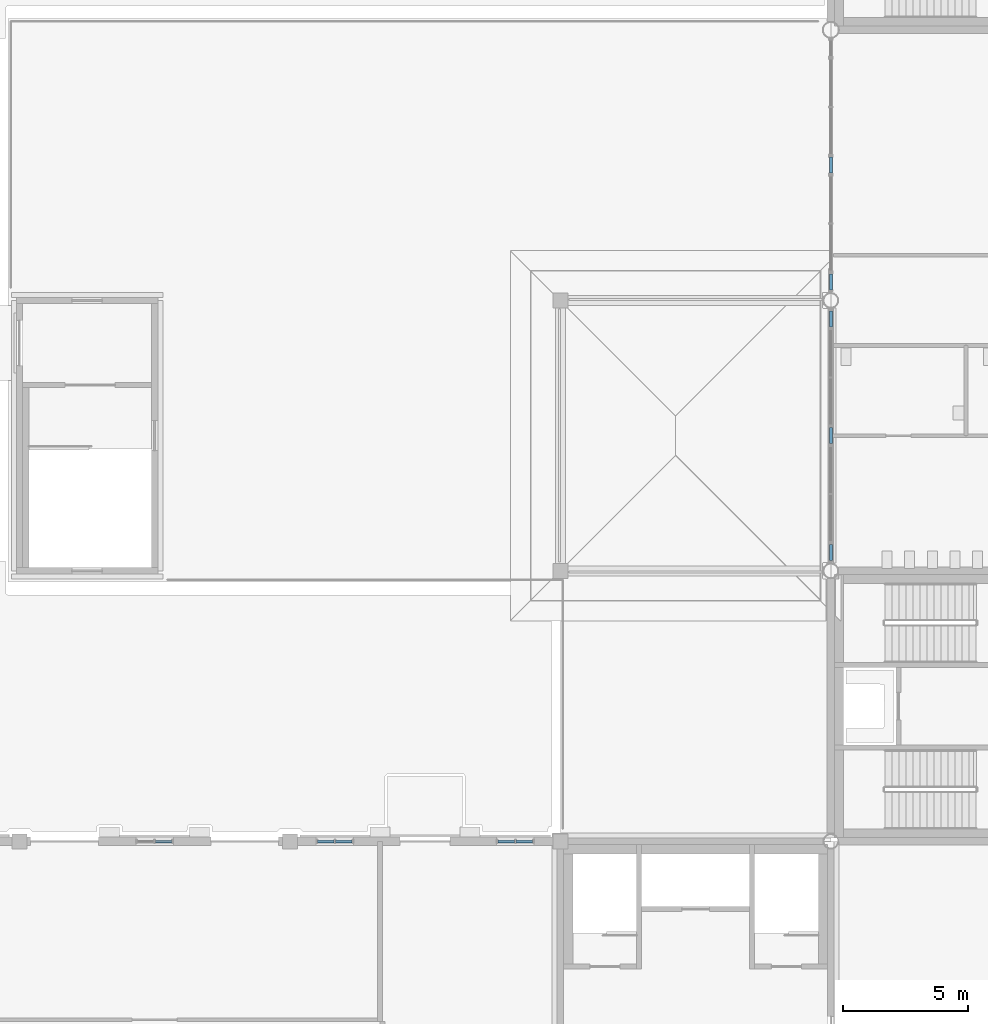
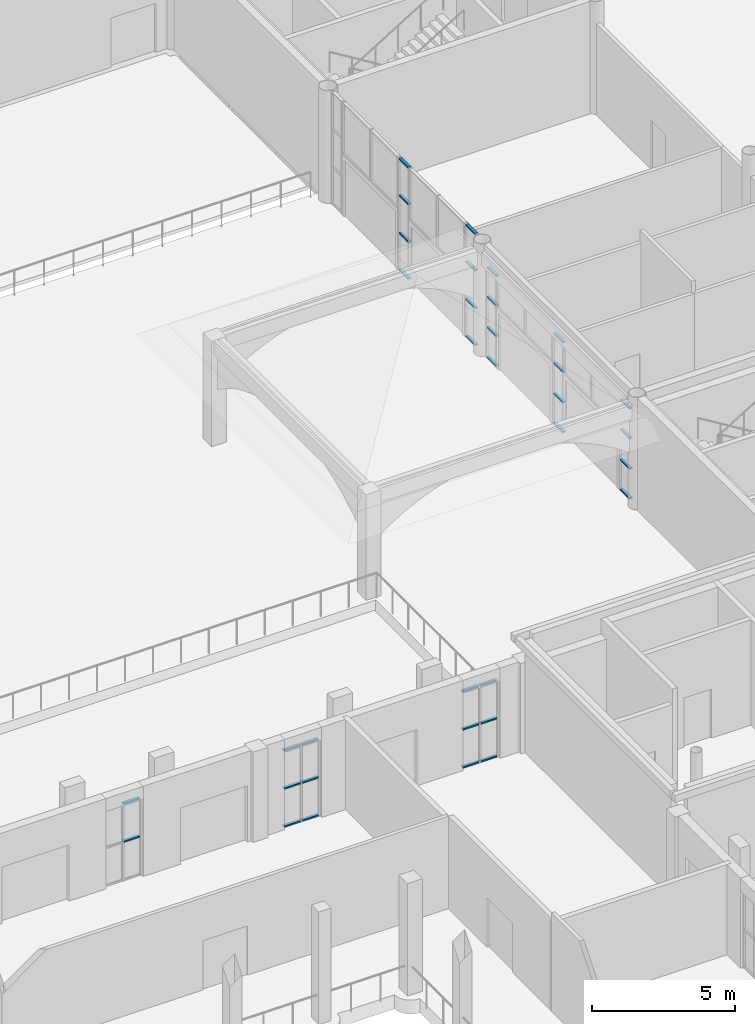
# One storey, part 29 of 91: 34 members, 8 elements without a shape of their own.
"""IFC4 building model written with IfcOpenShell, lengths in metres."""

from ifc_helpers import new_model, si_unit, direction, frame, origin, origin_2d, place, context, subcontext, project, spatial, rectangle, extrude, material, layer, layer_set, material_profile, profile_set, type_object, element, aggregate, save


model = new_model("IFC4")

# Units and contexts
model_context = context("Model", 3, precision=1e-05, world=origin(), true_north=direction((0.0, 1.0)))
body_context = subcontext(model_context, "Body", "Model", "MODEL_VIEW")
ifc_project = project(units=[si_unit("LENGTHUNIT", "METRE"), si_unit("AREAUNIT", "SQUARE_METRE"), si_unit("VOLUMEUNIT", "CUBIC_METRE"), si_unit("PLANEANGLEUNIT", "RADIAN"), si_unit("MASSUNIT", "GRAM", prefix="KILO")], contexts=[model_context])

# Site, building, storey
site_placement = place(None, origin())
site = spatial("IfcSite", under=ifc_project, at=site_placement, CompositionType="ELEMENT")
building_placement = place(site_placement, origin())
building = spatial("IfcBuilding", under=site, at=building_placement, Name="Magnolia Steps Interchange", CompositionType="ELEMENT")
storey_placement = place(building_placement, origin())
storey = spatial("IfcBuildingStorey", under=building, at=storey_placement, Name="L00", CompositionType="ELEMENT", Elevation=0.0)

# Curtain wall, members
ifc_material_1 = material(Name="Powder-coated aluminium and glass", Category="aluminium")
ifc_layer_1 = layer(ifc_material_1, 0.14990234375)
ifc_layer_set_1 = layer_set([ifc_layer_1], Name="Glazed hall curtain wall")
curtain_wall_type_1 = type_object("IfcCurtainWallType", Name="Glazed hall curtain wall", PredefinedType="NOTDEFINED", material=ifc_layer_set_1)
curtain_wall_1_placement = place(storey_placement, origin())
curtain_wall_1 = element("IfcCurtainWall", 1, at=curtain_wall_1_placement, inside=storey, type_object=curtain_wall_type_1, Name="Hall glazing W2a L00", PredefinedType="NOTDEFINED")
ifc_material_2 = material(Name="White powder-coated aluminium", Category="aluminium")
ifc_material_profile = material_profile(ifc_material_2, rectangle(XDim=0.06005859375, YDim=0.1201171875, at=origin_2d()), Name="Aluminium transom 60 x 120")
ifc_profile_set = profile_set([ifc_material_profile], Name="White powder-coated aluminium")
member_type = type_object("IfcMemberType", Name="Aluminium transom 60 x 120", PredefinedType="USERDEFINED", material=ifc_profile_set)
member_1_placement = place(storey_placement, frame((53.199951171875, 53.6201171875, 0.030029296875), z_axis=(0.0, 1.0, 0.0), x_axis=(0.0, 0.0, 1.0)))
member_1 = element("IfcMember", 2, at=member_1_placement, type_object=member_type, Name="CW1 transom 1.1", ObjectType="TRANSOM", PredefinedType="USERDEFINED", context=body_context, shape_type="SweptSolid", body=[
    extrude(rectangle(XDim=0.06005859375, YDim=0.1201171875, at=origin_2d()), origin(), (0.0, 0.0, 1.0), 0.639892578125),
])
member_2_placement = place(storey_placement, frame((53.199951171875, 53.6201171875, 1.300048828125), z_axis=(0.0, 1.0, 0.0), x_axis=(0.0, 0.0, 1.0)))
member_2 = element("IfcMember", 3, at=member_2_placement, type_object=member_type, Name="CW1 transom 1.2", ObjectType="TRANSOM", PredefinedType="USERDEFINED", context=body_context, shape_type="SweptSolid", body=[
    extrude(rectangle(XDim=0.06005859375, YDim=0.1201171875, at=origin_2d()), origin(), (0.0, 0.0, 1.0), 0.639892578125),
])
member_3_placement = place(storey_placement, frame((53.199951171875, 53.6201171875, 2.60009765625), z_axis=(0.0, 1.0, 0.0), x_axis=(0.0, 0.0, 1.0)))
member_3 = element("IfcMember", 4, at=member_3_placement, type_object=member_type, Name="CW1 transom 1.3", ObjectType="TRANSOM", PredefinedType="USERDEFINED", context=body_context, shape_type="SweptSolid", body=[
    extrude(rectangle(XDim=0.06005859375, YDim=0.1201171875, at=origin_2d()), origin(), (0.0, 0.0, 1.0), 0.639892578125),
])
member_4_placement = place(storey_placement, frame((53.199951171875, 53.6201171875, 3.8701171875), z_axis=(0.0, 1.0, 0.0), x_axis=(0.0, 0.0, 1.0)))
member_4 = element("IfcMember", 5, at=member_4_placement, type_object=member_type, Name="CW1 transom 1.4", ObjectType="TRANSOM", PredefinedType="USERDEFINED", context=body_context, shape_type="SweptSolid", body=[
    extrude(rectangle(XDim=0.06005859375, YDim=0.1201171875, at=origin_2d()), origin(), (0.0, 0.0, 1.0), 0.639892578125),
])
aggregate(curtain_wall_1, [member_1, member_2, member_3, member_4])

curtain_wall_2_placement = place(storey_placement, origin())
curtain_wall_2 = element("IfcCurtainWall", 6, at=curtain_wall_2_placement, inside=storey, type_object=curtain_wall_type_1, Name="Hall glazing W2b L00", PredefinedType="NOTDEFINED")
member_5_placement = place(storey_placement, frame((53.199951171875, 58.280029296875, 0.030029296875), z_axis=(0.0, 1.0, 0.0), x_axis=(0.0, 0.0, 1.0)))
member_5 = element("IfcMember", 7, at=member_5_placement, type_object=member_type, Name="CW1 transom 1.1", ObjectType="TRANSOM", PredefinedType="USERDEFINED", context=body_context, shape_type="SweptSolid", body=[
    extrude(rectangle(XDim=0.06005859375, YDim=0.1201171875, at=origin_2d()), origin(), (0.0, 0.0, 1.0), 0.639892578125),
])
member_6_placement = place(storey_placement, frame((53.199951171875, 58.280029296875, 1.300048828125), z_axis=(0.0, 1.0, 0.0), x_axis=(0.0, 0.0, 1.0)))
member_6 = element("IfcMember", 8, at=member_6_placement, type_object=member_type, Name="CW1 transom 1.2", ObjectType="TRANSOM", PredefinedType="USERDEFINED", context=body_context, shape_type="SweptSolid", body=[
    extrude(rectangle(XDim=0.06005859375, YDim=0.1201171875, at=origin_2d()), origin(), (0.0, 0.0, 1.0), 0.639892578125),
])
member_7_placement = place(storey_placement, frame((53.199951171875, 58.280029296875, 2.60009765625), z_axis=(0.0, 1.0, 0.0), x_axis=(0.0, 0.0, 1.0)))
member_7 = element("IfcMember", 9, at=member_7_placement, type_object=member_type, Name="CW1 transom 1.3", ObjectType="TRANSOM", PredefinedType="USERDEFINED", context=body_context, shape_type="SweptSolid", body=[
    extrude(rectangle(XDim=0.06005859375, YDim=0.1201171875, at=origin_2d()), origin(), (0.0, 0.0, 1.0), 0.639892578125),
])
member_8_placement = place(storey_placement, frame((53.199951171875, 58.280029296875, 3.8701171875), z_axis=(0.0, 1.0, 0.0), x_axis=(0.0, 0.0, 1.0)))
member_8 = element("IfcMember", 10, at=member_8_placement, type_object=member_type, Name="CW1 transom 1.4", ObjectType="TRANSOM", PredefinedType="USERDEFINED", context=body_context, shape_type="SweptSolid", body=[
    extrude(rectangle(XDim=0.06005859375, YDim=0.1201171875, at=origin_2d()), origin(), (0.0, 0.0, 1.0), 0.639892578125),
])
aggregate(curtain_wall_2, [member_5, member_6, member_7, member_8])

curtain_wall_3_placement = place(storey_placement, origin())
curtain_wall_3 = element("IfcCurtainWall", 11, at=curtain_wall_3_placement, inside=storey, type_object=curtain_wall_type_1, Name="Hall glazing W2z L00", PredefinedType="NOTDEFINED")
member_9_placement = place(storey_placement, frame((53.199951171875, 62.93994140625, 0.030029296875), z_axis=(0.0, 1.0, 0.0), x_axis=(0.0, 0.0, 1.0)))
member_9 = element("IfcMember", 12, at=member_9_placement, type_object=member_type, Name="CW1 transom 1.1", ObjectType="TRANSOM", PredefinedType="USERDEFINED", context=body_context, shape_type="SweptSolid", body=[
    extrude(rectangle(XDim=0.06005859375, YDim=0.1201171875, at=origin_2d()), origin(), (0.0, 0.0, 1.0), 0.64013671875),
])
member_10_placement = place(storey_placement, frame((53.199951171875, 62.93994140625, 1.300048828125), z_axis=(0.0, 1.0, 0.0), x_axis=(0.0, 0.0, 1.0)))
member_10 = element("IfcMember", 13, at=member_10_placement, type_object=member_type, Name="CW1 transom 1.2", ObjectType="TRANSOM", PredefinedType="USERDEFINED", context=body_context, shape_type="SweptSolid", body=[
    extrude(rectangle(XDim=0.06005859375, YDim=0.1201171875, at=origin_2d()), origin(), (0.0, 0.0, 1.0), 0.64013671875),
])
member_11_placement = place(storey_placement, frame((53.199951171875, 62.93994140625, 2.60009765625), z_axis=(0.0, 1.0, 0.0), x_axis=(0.0, 0.0, 1.0)))
member_11 = element("IfcMember", 14, at=member_11_placement, type_object=member_type, Name="CW1 transom 1.3", ObjectType="TRANSOM", PredefinedType="USERDEFINED", context=body_context, shape_type="SweptSolid", body=[
    extrude(rectangle(XDim=0.06005859375, YDim=0.1201171875, at=origin_2d()), origin(), (0.0, 0.0, 1.0), 0.64013671875),
])
member_12_placement = place(storey_placement, frame((53.199951171875, 62.93994140625, 3.8701171875), z_axis=(0.0, 1.0, 0.0), x_axis=(0.0, 0.0, 1.0)))
member_12 = element("IfcMember", 15, at=member_12_placement, type_object=member_type, Name="CW1 transom 1.4", ObjectType="TRANSOM", PredefinedType="USERDEFINED", context=body_context, shape_type="SweptSolid", body=[
    extrude(rectangle(XDim=0.06005859375, YDim=0.1201171875, at=origin_2d()), origin(), (0.0, 0.0, 1.0), 0.64013671875),
])
aggregate(curtain_wall_3, [member_9, member_10, member_11, member_12])

curtain_wall_4_placement = place(storey_placement, origin())
curtain_wall_4 = element("IfcCurtainWall", 16, at=curtain_wall_4_placement, inside=storey, type_object=curtain_wall_type_1, Name="Hall glazing W3a L00", PredefinedType="NOTDEFINED")
member_13_placement = place(storey_placement, frame((53.199951171875, 64.419921875, 0.030029296875), z_axis=(0.0, 1.0, 0.0), x_axis=(0.0, 0.0, 1.0)))
member_13 = element("IfcMember", 17, at=member_13_placement, type_object=member_type, Name="CW1 transom 1.1", ObjectType="TRANSOM", PredefinedType="USERDEFINED", context=body_context, shape_type="SweptSolid", body=[
    extrude(rectangle(XDim=0.06005859375, YDim=0.1201171875, at=origin_2d()), origin(), (0.0, 0.0, 1.0), 0.64013671875),
])
member_14_placement = place(storey_placement, frame((53.199951171875, 64.419921875, 1.60009765625), z_axis=(0.0, 1.0, 0.0), x_axis=(0.0, 0.0, 1.0)))
member_14 = element("IfcMember", 18, at=member_14_placement, type_object=member_type, Name="CW1 transom 1.2", ObjectType="TRANSOM", PredefinedType="USERDEFINED", context=body_context, shape_type="SweptSolid", body=[
    extrude(rectangle(XDim=0.06005859375, YDim=0.1201171875, at=origin_2d()), origin(), (0.0, 0.0, 1.0), 0.64013671875),
])
member_15_placement = place(storey_placement, frame((53.199951171875, 64.419921875, 3.199951171875), z_axis=(0.0, 1.0, 0.0), x_axis=(0.0, 0.0, 1.0)))
member_15 = element("IfcMember", 19, at=member_15_placement, type_object=member_type, Name="CW1 transom 1.3", ObjectType="TRANSOM", PredefinedType="USERDEFINED", context=body_context, shape_type="SweptSolid", body=[
    extrude(rectangle(XDim=0.06005859375, YDim=0.1201171875, at=origin_2d()), origin(), (0.0, 0.0, 1.0), 0.64013671875),
])
member_16_placement = place(storey_placement, frame((53.199951171875, 64.419921875, 4.77001953125), z_axis=(0.0, 1.0, 0.0), x_axis=(0.0, 0.0, 1.0)))
member_16 = element("IfcMember", 20, at=member_16_placement, type_object=member_type, Name="CW1 transom 1.4", ObjectType="TRANSOM", PredefinedType="USERDEFINED", context=body_context, shape_type="SweptSolid", body=[
    extrude(rectangle(XDim=0.06005859375, YDim=0.1201171875, at=origin_2d()), origin(), (0.0, 0.0, 1.0), 0.64013671875),
])
aggregate(curtain_wall_4, [member_13, member_14, member_15, member_16])

curtain_wall_5_placement = place(storey_placement, origin())
curtain_wall_5 = element("IfcCurtainWall", 21, at=curtain_wall_5_placement, inside=storey, type_object=curtain_wall_type_1, Name="Hall glazing W3b L00", PredefinedType="NOTDEFINED")
member_17_placement = place(storey_placement, frame((53.199951171875, 69.080078125, 0.030029296875), z_axis=(0.0, 1.0, 0.0), x_axis=(0.0, 0.0, 1.0)))
member_17 = element("IfcMember", 22, at=member_17_placement, type_object=member_type, Name="CW1 transom 1.1", ObjectType="TRANSOM", PredefinedType="USERDEFINED", context=body_context, shape_type="SweptSolid", body=[
    extrude(rectangle(XDim=0.06005859375, YDim=0.1201171875, at=origin_2d()), origin(), (0.0, 0.0, 1.0), 0.639892578125),
])
member_18_placement = place(storey_placement, frame((53.199951171875, 69.080078125, 1.60009765625), z_axis=(0.0, 1.0, 0.0), x_axis=(0.0, 0.0, 1.0)))
member_18 = element("IfcMember", 23, at=member_18_placement, type_object=member_type, Name="CW1 transom 1.2", ObjectType="TRANSOM", PredefinedType="USERDEFINED", context=body_context, shape_type="SweptSolid", body=[
    extrude(rectangle(XDim=0.06005859375, YDim=0.1201171875, at=origin_2d()), origin(), (0.0, 0.0, 1.0), 0.639892578125),
])
member_19_placement = place(storey_placement, frame((53.199951171875, 69.080078125, 3.199951171875), z_axis=(0.0, 1.0, 0.0), x_axis=(0.0, 0.0, 1.0)))
member_19 = element("IfcMember", 24, at=member_19_placement, type_object=member_type, Name="CW1 transom 1.3", ObjectType="TRANSOM", PredefinedType="USERDEFINED", context=body_context, shape_type="SweptSolid", body=[
    extrude(rectangle(XDim=0.06005859375, YDim=0.1201171875, at=origin_2d()), origin(), (0.0, 0.0, 1.0), 0.639892578125),
])
member_20_placement = place(storey_placement, frame((53.199951171875, 69.080078125, 4.77001953125), z_axis=(0.0, 1.0, 0.0), x_axis=(0.0, 0.0, 1.0)))
member_20 = element("IfcMember", 25, at=member_20_placement, type_object=member_type, Name="CW1 transom 1.4", ObjectType="TRANSOM", PredefinedType="USERDEFINED", context=body_context, shape_type="SweptSolid", body=[
    extrude(rectangle(XDim=0.06005859375, YDim=0.1201171875, at=origin_2d()), origin(), (0.0, 0.0, 1.0), 0.639892578125),
])
aggregate(curtain_wall_5, [member_17, member_18, member_19, member_20])

ifc_material_3 = material(Name="Timber-framed glazing", Category="wood")
ifc_layer_2 = layer(ifc_material_3, 0.139892578125)
ifc_layer_set_2 = layer_set([ifc_layer_2], Name="Cycle hub shopfront curtain wall")
curtain_wall_type_2 = type_object("IfcCurtainWallType", Name="Cycle hub shopfront curtain wall", PredefinedType="NOTDEFINED", material=ifc_layer_set_2)
curtain_wall_6_placement = place(storey_placement, origin())
curtain_wall_6 = element("IfcCurtainWall", 26, at=curtain_wall_6_placement, inside=storey, type_object=curtain_wall_type_2, Name="Cycle hub north wall L00 glazing 6", PredefinedType="NOTDEFINED")
member_21_placement = place(storey_placement, frame((26.22998046875, 42.39990234375, 1.64990234375), z_axis=(1.0, 0.0, 0.0), x_axis=(0.0, 0.0, 1.0)))
member_21 = element("IfcMember", 27, at=member_21_placement, type_object=member_type, Name="CW7 transom 2.2", ObjectType="TRANSOM", PredefinedType="USERDEFINED", context=body_context, shape_type="SweptSolid", body=[
    extrude(rectangle(XDim=0.06005859375, YDim=0.1201171875, at=origin_2d()), origin(), (0.0, 0.0, 1.0), 0.659912109375),
])
member_22_placement = place(storey_placement, frame((26.22998046875, 42.39990234375, 3.27001953125), z_axis=(1.0, 0.0, 0.0), x_axis=(0.0, 0.0, 1.0)))
member_22 = element("IfcMember", 28, at=member_22_placement, type_object=member_type, Name="CW7 transom 2.3", ObjectType="TRANSOM", PredefinedType="USERDEFINED", context=body_context, shape_type="SweptSolid", body=[
    extrude(rectangle(XDim=0.06005859375, YDim=0.1201171875, at=origin_2d()), origin(), (0.0, 0.0, 1.0), 0.659912109375),
])
aggregate(curtain_wall_6, [member_21, member_22])

curtain_wall_7_placement = place(storey_placement, origin())
curtain_wall_7 = element("IfcCurtainWall", 29, at=curtain_wall_7_placement, inside=storey, type_object=curtain_wall_type_2, Name="Cycle hub north wall L00 glazing 8", PredefinedType="NOTDEFINED")
member_23_placement = place(storey_placement, frame((32.7099609375, 42.39990234375, 0.030029296875), z_axis=(1.0, 0.0, 0.0), x_axis=(0.0, 0.0, 1.0)))
member_23 = element("IfcMember", 30, at=member_23_placement, type_object=member_type, Name="CW7 transom 1.1", ObjectType="TRANSOM", PredefinedType="USERDEFINED", context=body_context, shape_type="SweptSolid", body=[
    extrude(rectangle(XDim=0.06005859375, YDim=0.1201171875, at=origin_2d()), origin(), (0.0, 0.0, 1.0), 0.66015625),
])
member_24_placement = place(storey_placement, frame((32.7099609375, 42.39990234375, 1.64990234375), z_axis=(1.0, 0.0, 0.0), x_axis=(0.0, 0.0, 1.0)))
member_24 = element("IfcMember", 31, at=member_24_placement, type_object=member_type, Name="CW7 transom 1.2", ObjectType="TRANSOM", PredefinedType="USERDEFINED", context=body_context, shape_type="SweptSolid", body=[
    extrude(rectangle(XDim=0.06005859375, YDim=0.1201171875, at=origin_2d()), origin(), (0.0, 0.0, 1.0), 0.66015625),
])
member_25_placement = place(storey_placement, frame((32.7099609375, 42.39990234375, 3.27001953125), z_axis=(1.0, 0.0, 0.0), x_axis=(0.0, 0.0, 1.0)))
member_25 = element("IfcMember", 32, at=member_25_placement, type_object=member_type, Name="CW7 transom 1.3", ObjectType="TRANSOM", PredefinedType="USERDEFINED", context=body_context, shape_type="SweptSolid", body=[
    extrude(rectangle(XDim=0.06005859375, YDim=0.1201171875, at=origin_2d()), origin(), (0.0, 0.0, 1.0), 0.66015625),
])
member_26_placement = place(storey_placement, frame((33.429931640625, 42.39990234375, 0.030029296875), z_axis=(1.0, 0.0, 0.0), x_axis=(0.0, 0.0, 1.0)))
member_26 = element("IfcMember", 33, at=member_26_placement, type_object=member_type, Name="CW7 transom 2.1", ObjectType="TRANSOM", PredefinedType="USERDEFINED", context=body_context, shape_type="SweptSolid", body=[
    extrude(rectangle(XDim=0.06005859375, YDim=0.1201171875, at=origin_2d()), origin(), (0.0, 0.0, 1.0), 0.66015625),
])
member_27_placement = place(storey_placement, frame((33.429931640625, 42.39990234375, 1.64990234375), z_axis=(1.0, 0.0, 0.0), x_axis=(0.0, 0.0, 1.0)))
member_27 = element("IfcMember", 34, at=member_27_placement, type_object=member_type, Name="CW7 transom 2.2", ObjectType="TRANSOM", PredefinedType="USERDEFINED", context=body_context, shape_type="SweptSolid", body=[
    extrude(rectangle(XDim=0.06005859375, YDim=0.1201171875, at=origin_2d()), origin(), (0.0, 0.0, 1.0), 0.66015625),
])
member_28_placement = place(storey_placement, frame((33.429931640625, 42.39990234375, 3.27001953125), z_axis=(1.0, 0.0, 0.0), x_axis=(0.0, 0.0, 1.0)))
member_28 = element("IfcMember", 35, at=member_28_placement, type_object=member_type, Name="CW7 transom 2.3", ObjectType="TRANSOM", PredefinedType="USERDEFINED", context=body_context, shape_type="SweptSolid", body=[
    extrude(rectangle(XDim=0.06005859375, YDim=0.1201171875, at=origin_2d()), origin(), (0.0, 0.0, 1.0), 0.66015625),
])
aggregate(curtain_wall_7, [member_23, member_24, member_25, member_26, member_27, member_28])

curtain_wall_8_placement = place(storey_placement, origin())
curtain_wall_8 = element("IfcCurtainWall", 36, at=curtain_wall_8_placement, inside=storey, type_object=curtain_wall_type_2, Name="Cycle hub north wall L00 glazing 10", PredefinedType="NOTDEFINED")
member_29_placement = place(storey_placement, frame((39.909912109375, 42.39990234375, 0.030029296875), z_axis=(1.0, 0.0, 0.0), x_axis=(0.0, 0.0, 1.0)))
member_29 = element("IfcMember", 37, at=member_29_placement, type_object=member_type, Name="CW7 transom 1.1", ObjectType="TRANSOM", PredefinedType="USERDEFINED", context=body_context, shape_type="SweptSolid", body=[
    extrude(rectangle(XDim=0.06005859375, YDim=0.1201171875, at=origin_2d()), origin(), (0.0, 0.0, 1.0), 0.66015625),
])
member_30_placement = place(storey_placement, frame((39.909912109375, 42.39990234375, 1.64990234375), z_axis=(1.0, 0.0, 0.0), x_axis=(0.0, 0.0, 1.0)))
member_30 = element("IfcMember", 38, at=member_30_placement, type_object=member_type, Name="CW7 transom 1.2", ObjectType="TRANSOM", PredefinedType="USERDEFINED", context=body_context, shape_type="SweptSolid", body=[
    extrude(rectangle(XDim=0.06005859375, YDim=0.1201171875, at=origin_2d()), origin(), (0.0, 0.0, 1.0), 0.66015625),
])
member_31_placement = place(storey_placement, frame((39.909912109375, 42.39990234375, 3.27001953125), z_axis=(1.0, 0.0, 0.0), x_axis=(0.0, 0.0, 1.0)))
member_31 = element("IfcMember", 39, at=member_31_placement, type_object=member_type, Name="CW7 transom 1.3", ObjectType="TRANSOM", PredefinedType="USERDEFINED", context=body_context, shape_type="SweptSolid", body=[
    extrude(rectangle(XDim=0.06005859375, YDim=0.1201171875, at=origin_2d()), origin(), (0.0, 0.0, 1.0), 0.66015625),
])
member_32_placement = place(storey_placement, frame((40.6298828125, 42.39990234375, 0.030029296875), z_axis=(1.0, 0.0, 0.0), x_axis=(0.0, 0.0, 1.0)))
member_32 = element("IfcMember", 40, at=member_32_placement, type_object=member_type, Name="CW7 transom 2.1", ObjectType="TRANSOM", PredefinedType="USERDEFINED", context=body_context, shape_type="SweptSolid", body=[
    extrude(rectangle(XDim=0.06005859375, YDim=0.1201171875, at=origin_2d()), origin(), (0.0, 0.0, 1.0), 0.66015625),
])
member_33_placement = place(storey_placement, frame((40.6298828125, 42.39990234375, 1.64990234375), z_axis=(1.0, 0.0, 0.0), x_axis=(0.0, 0.0, 1.0)))
member_33 = element("IfcMember", 41, at=member_33_placement, type_object=member_type, Name="CW7 transom 2.2", ObjectType="TRANSOM", PredefinedType="USERDEFINED", context=body_context, shape_type="SweptSolid", body=[
    extrude(rectangle(XDim=0.06005859375, YDim=0.1201171875, at=origin_2d()), origin(), (0.0, 0.0, 1.0), 0.66015625),
])
member_34_placement = place(storey_placement, frame((40.6298828125, 42.39990234375, 3.27001953125), z_axis=(1.0, 0.0, 0.0), x_axis=(0.0, 0.0, 1.0)))
member_34 = element("IfcMember", 42, at=member_34_placement, type_object=member_type, Name="CW7 transom 2.3", ObjectType="TRANSOM", PredefinedType="USERDEFINED", context=body_context, shape_type="SweptSolid", body=[
    extrude(rectangle(XDim=0.06005859375, YDim=0.1201171875, at=origin_2d()), origin(), (0.0, 0.0, 1.0), 0.66015625),
])
aggregate(curtain_wall_8, [member_29, member_30, member_31, member_32, member_33, member_34])

save(model, "model.ifc")
